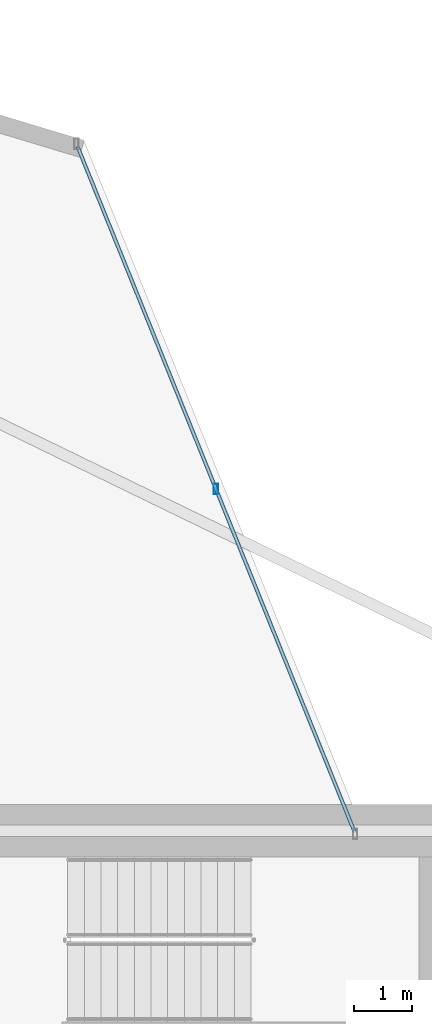
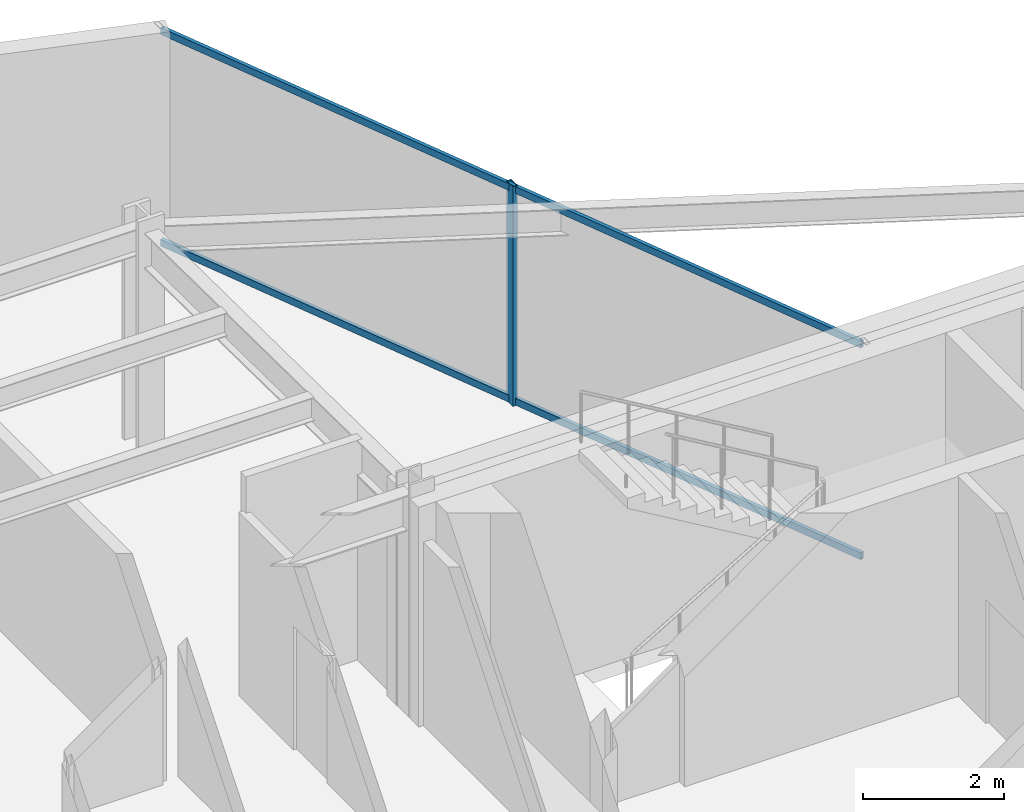
# One storey, part 21 of 30: 3 members, 1 element without a shape of its own.
"""IFC4 building model written with IfcOpenShell, lengths in metres."""

from ifc_helpers import new_model, si_unit, direction, frame, origin, origin_2d, place, context, subcontext, project, spatial, hollow_rectangle, extrude, material, layer, layer_set, material_profile, profile_set, type_object, element, aggregate, save


model = new_model("IFC4")

# Units and contexts
model_context = context("Model", 3, precision=1e-05, world=origin(), true_north=direction((0.0, 1.0)))
body_context = subcontext(model_context, "Body", "Model", "MODEL_VIEW")
ifc_project = project(units=[si_unit("LENGTHUNIT", "METRE"), si_unit("AREAUNIT", "SQUARE_METRE"), si_unit("VOLUMEUNIT", "CUBIC_METRE"), si_unit("PLANEANGLEUNIT", "RADIAN"), si_unit("MASSUNIT", "GRAM", prefix="KILO")], contexts=[model_context])

# Site, building, storey
site_placement = place(None, origin())
site = spatial("IfcSite", under=ifc_project, at=site_placement, CompositionType="ELEMENT")
building_placement = place(site_placement, origin())
building = spatial("IfcBuilding", under=site, at=building_placement, Name="Veymaron Broadcast Tower", CompositionType="ELEMENT")
storey_placement = place(building_placement, frame((0.0, 0.0, 66.14990234375)))
storey = spatial("IfcBuildingStorey", under=building, at=storey_placement, Name="L14", CompositionType="ELEMENT", Elevation=66.14990234375)

# Curtain wall, members
ifc_material_1 = material(Name="Anodised aluminium AA 6063-T6 and laminated low-E dark glass", Category="aluminium")
ifc_layer = layer(ifc_material_1, 0.179931640625)
ifc_layer_set = layer_set([ifc_layer], Name="Anodised aluminium AA 6063-T6 and laminated low-E dark glass")
curtain_wall_type = type_object("IfcCurtainWallType", Name="CW-SYS-02", PredefinedType="NOTDEFINED", material=ifc_layer_set)
curtain_wall_placement = place(storey_placement, origin())
curtain_wall = element("IfcCurtainWall", 1, at=curtain_wall_placement, inside=storey, type_object=curtain_wall_type, Name="L14 dark-glass curtain wall CW-L14-E5-1", PredefinedType="NOTDEFINED")
ifc_material_2 = material(Name="Anodised aluminium AA 6063-T6", Category="aluminium")
ifc_material_profile_1 = material_profile(ifc_material_2, hollow_rectangle(XDim=0.074951171875, YDim=0.179931640625, WallThickness=0.0048828125, at=origin_2d()), Name="AL180X75X5")
ifc_profile_set_1 = profile_set([ifc_material_profile_1], Name="Anodised aluminium AA 6063-T6")
member_type_1 = type_object("IfcMemberType", Name="CW-MUL-02", PredefinedType="MULLION", material=ifc_profile_set_1)
member_1_placement = place(storey_placement, frame((43.963623046875, 37.844482421875, 0.0), z_axis=(0.0, 0.0, 1.0), x_axis=(1.0, 0.0, 0.0)))
member_1 = element("IfcMember", 2, at=member_1_placement, type_object=member_type_1, Name="CW-L14-E5-1 mullion 1", PredefinedType="MULLION", context=body_context, shape_type="SweptSolid", body=[
    extrude(hollow_rectangle(XDim=0.074951171875, YDim=0.179931640625, WallThickness=0.0048828125, at=origin_2d()), origin(), (0.0, 0.0, 1.0), 3.81005859375),
])
ifc_material_profile_2 = material_profile(ifc_material_2, hollow_rectangle(XDim=0.06005859375, YDim=0.1201171875, WallThickness=0.00390625, at=origin_2d()), Name="AL120X60X4")
ifc_profile_set_2 = profile_set([ifc_material_profile_2], Name="Anodised aluminium AA 6063-T6")
member_type_2 = type_object("IfcMemberType", Name="CW-TRN-02", PredefinedType="USERDEFINED", material=ifc_profile_set_2)
member_2_placement = place(storey_placement, frame((46.328125, 31.993896484375, 0.070068359375), z_axis=(-0.374703561178, 0.927144671149, 0.0), x_axis=(-0.927144671149, -0.374703561178, 0.0)))
member_2 = element("IfcMember", 3, at=member_2_placement, type_object=member_type_2, Name="CW-L14-E5-1 transom B", ObjectType="TRANSOM", PredefinedType="USERDEFINED", context=body_context, shape_type="SweptSolid", body=[
    extrude(hollow_rectangle(XDim=0.06005859375, YDim=0.1201171875, WallThickness=0.00390625, at=origin_2d()), origin(), (0.0, 0.0, 1.0), 12.62060546875),
])
member_3_placement = place(storey_placement, frame((46.328125, 31.993896484375, 3.739990234375), z_axis=(-0.374703561178, 0.927144671149, 0.0), x_axis=(-0.927144671149, -0.374703561178, 0.0)))
member_3 = element("IfcMember", 4, at=member_3_placement, type_object=member_type_2, Name="CW-L14-E5-1 transom T", ObjectType="TRANSOM", PredefinedType="USERDEFINED", context=body_context, shape_type="SweptSolid", body=[
    extrude(hollow_rectangle(XDim=0.06005859375, YDim=0.1201171875, WallThickness=0.00390625, at=origin_2d()), origin(), (0.0, 0.0, 1.0), 12.62060546875),
])
aggregate(curtain_wall, [member_1, member_2, member_3])

save(model, "model.ifc")
